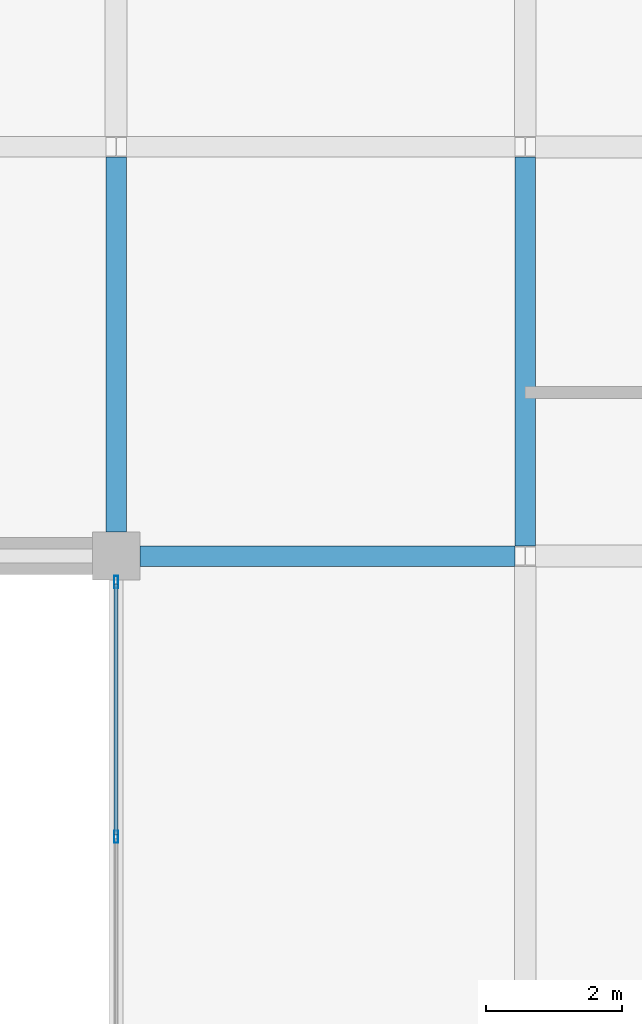
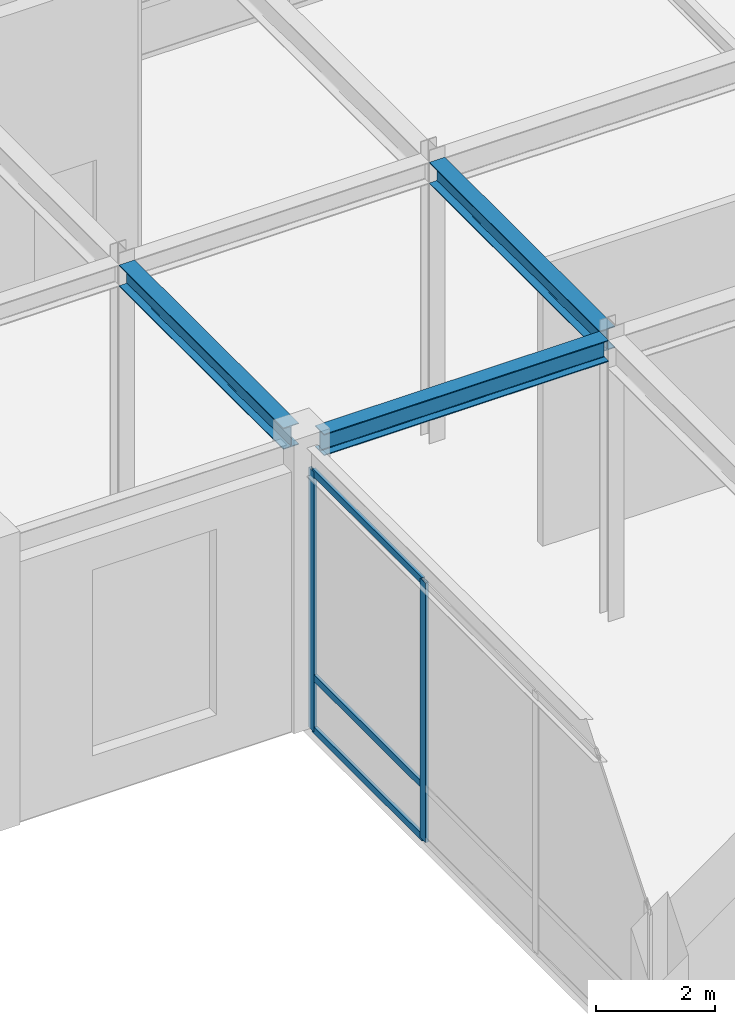
# One storey, part 60 of 108: 5 members, 3 beams, 1 element without a shape of its own.
"""IFC4 building model written with IfcOpenShell, lengths in metres."""

from ifc_helpers import new_model, si_unit, direction, frame, origin, origin_2d, place, context, subcontext, project, spatial, hollow_rectangle, i_section, extrude, material, layer, layer_set, material_profile, profile_set, type_object, element, aggregate, save


model = new_model("IFC4")

# Units and contexts
model_context = context("Model", 3, precision=1e-05, world=origin(), true_north=direction((0.0, 1.0)))
body_context = subcontext(model_context, "Body", "Model", "MODEL_VIEW")
ifc_project = project(units=[si_unit("LENGTHUNIT", "METRE"), si_unit("AREAUNIT", "SQUARE_METRE"), si_unit("VOLUMEUNIT", "CUBIC_METRE"), si_unit("PLANEANGLEUNIT", "RADIAN"), si_unit("MASSUNIT", "GRAM", prefix="KILO")], contexts=[model_context])

# Site, building, storey
site_placement = place(None, origin())
site = spatial("IfcSite", under=ifc_project, at=site_placement, CompositionType="ELEMENT")
building_placement = place(site_placement, origin())
building = spatial("IfcBuilding", under=site, at=building_placement, Name="Zlatovratsky Civic Hall", CompositionType="ELEMENT")
storey_placement = place(building_placement, frame((0.0, 0.0, 6.0)))
storey = spatial("IfcBuildingStorey", under=building, at=storey_placement, Name="L02", CompositionType="ELEMENT", Elevation=6.0)

# Beams
ifc_material_1 = material(Name="Steel S355", Category="steel")
ifc_material_profile_1 = material_profile(ifc_material_1, i_section(OverallWidth=0.300048828125, OverallDepth=0.43994140625, WebThickness=0.010986328125, FlangeThickness=0.01806640625, FilletRadius=0.02197265625, at=origin_2d()), Name="45Sh1")
ifc_profile_set_1 = profile_set([ifc_material_profile_1], Name="Steel S355")
beam_type = type_object("IfcBeamType", Name="Beam_TowerLow_45Sh1", PredefinedType="BEAM", material=ifc_profile_set_1)
for number, where, z_axis, x_axis, name in (
    (1, (114.35009765625, 12.0, 5.5400390625), (1.0, 0.0, 0.0), (0.0, 1.0, 0.0), "BM-1755"),
    (2, (114.0, 12.35009765625, 5.5400390625), (0.0, 1.0, 0.0), (-1.0, 0.0, 0.0), "BM-2283"),
):
    element("IfcBeam", number, at=place(storey_placement, frame(where, z_axis=z_axis, x_axis=x_axis)), inside=storey, type_object=beam_type, Name=name, PredefinedType="BEAM", context=body_context, shape_type="SweptSolid", body=[
        extrude(i_section(OverallWidth=0.300048828125, OverallDepth=0.43994140625, WebThickness=0.010986328125, FlangeThickness=0.01806640625, FilletRadius=0.02197265625, at=origin_2d()), origin(), (0.0, 0.0, 1.0), 5.5),
    ])
beam_placement = place(storey_placement, frame((120.0, 12.14990234375, 5.5400390625), z_axis=(0.0, 1.0, 0.0), x_axis=(-1.0, 0.0, 0.0)))
element("IfcBeam", 3, at=beam_placement, inside=storey, type_object=beam_type, Name="BM-2300", PredefinedType="BEAM", context=body_context, shape_type="SweptSolid", body=[
    extrude(i_section(OverallWidth=0.300048828125, OverallDepth=0.43994140625, WebThickness=0.010986328125, FlangeThickness=0.01806640625, FilletRadius=0.02197265625, at=origin_2d()), origin(), (0.0, 0.0, 1.0), 5.7001953125),
])

# Curtain wall, members
ifc_material_2 = material(Name="Anodised bronze aluminium", Category="aluminium")
ifc_layer = layer(ifc_material_2, 0.159912109375)
ifc_layer_set = layer_set([ifc_layer], Name="Anodised bronze aluminium")
curtain_wall_type = type_object("IfcCurtainWallType", Name="CurtainWall_Bronze_11300x5310_02", PredefinedType="NOTDEFINED", material=ifc_layer_set)
curtain_wall_placement = place(storey_placement, origin())
curtain_wall = element("IfcCurtainWall", 4, at=curtain_wall_placement, inside=storey, type_object=curtain_wall_type, Name="CW-004", PredefinedType="NOTDEFINED")
ifc_material_profile_2 = material_profile(ifc_material_2, hollow_rectangle(XDim=0.06005859375, YDim=0.179931640625, WallThickness=0.00390625, at=origin_2d()), Name="ALU 60x180x4")
ifc_profile_set_2 = profile_set([ifc_material_profile_2], Name="Anodised bronze aluminium")
member_type_1 = type_object("IfcMemberType", Name="CW_Mullion_60x180", PredefinedType="MULLION", material=ifc_profile_set_2)
member_1_placement = place(storey_placement, frame((114.0, 7.88330078125, 0.0), z_axis=(0.0, 0.0, 1.0), x_axis=(-1.0, 0.0, 0.0)))
member_1 = element("IfcMember", 5, at=member_1_placement, type_object=member_type_1, Name="CW-02 mullion 3", PredefinedType="MULLION", context=body_context, shape_type="SweptSolid", body=[
    extrude(hollow_rectangle(XDim=0.06005859375, YDim=0.179931640625, WallThickness=0.00390625, at=origin_2d()), origin(), (0.0, 0.0, 1.0), 5.31005859375),
])
member_2_placement = place(storey_placement, frame((114.0, 11.6201171875, 0.0), z_axis=(0.0, 0.0, 1.0), x_axis=(-1.0, 0.0, 0.0)))
member_2 = element("IfcMember", 6, at=member_2_placement, type_object=member_type_1, Name="CW-02 mullion 4", PredefinedType="MULLION", context=body_context, shape_type="SweptSolid", body=[
    extrude(hollow_rectangle(XDim=0.06005859375, YDim=0.179931640625, WallThickness=0.00390625, at=origin_2d()), origin(), (0.0, 0.0, 1.0), 5.31005859375),
])
ifc_material_profile_3 = material_profile(ifc_material_2, hollow_rectangle(XDim=0.06005859375, YDim=0.139892578125, WallThickness=0.00390625, at=origin_2d()), Name="ALU 60x140x4")
ifc_profile_set_3 = profile_set([ifc_material_profile_3], Name="Anodised bronze aluminium")
member_type_2 = type_object("IfcMemberType", Name="CW_Transom_60x140", PredefinedType="USERDEFINED", material=ifc_profile_set_3)
member_3_placement = place(storey_placement, frame((114.0, 7.913330078125, 0.030029296875), z_axis=(0.0, 1.0, 0.0), x_axis=(-1.0, 0.0, 0.0)))
member_3 = element("IfcMember", 7, at=member_3_placement, type_object=member_type_2, Name="CW-02 transom 3.1", ObjectType="TRANSOM", PredefinedType="USERDEFINED", context=body_context, shape_type="SweptSolid", body=[
    extrude(hollow_rectangle(XDim=0.06005859375, YDim=0.139892578125, WallThickness=0.00390625, at=origin_2d()), origin(), (0.0, 0.0, 1.0), 3.6767578125),
])
member_4_placement = place(storey_placement, frame((114.0, 7.913330078125, 1.10009765625), z_axis=(0.0, 1.0, 0.0), x_axis=(-1.0, 0.0, 0.0)))
member_4 = element("IfcMember", 8, at=member_4_placement, type_object=member_type_2, Name="CW-02 transom 3.2", ObjectType="TRANSOM", PredefinedType="USERDEFINED", context=body_context, shape_type="SweptSolid", body=[
    extrude(hollow_rectangle(XDim=0.06005859375, YDim=0.139892578125, WallThickness=0.00390625, at=origin_2d()), origin(), (0.0, 0.0, 1.0), 3.6767578125),
])
member_5_placement = place(storey_placement, frame((114.0, 7.913330078125, 5.280029296875), z_axis=(0.0, 1.0, 0.0), x_axis=(-1.0, 0.0, 0.0)))
member_5 = element("IfcMember", 9, at=member_5_placement, type_object=member_type_2, Name="CW-02 transom 3.3", ObjectType="TRANSOM", PredefinedType="USERDEFINED", context=body_context, shape_type="SweptSolid", body=[
    extrude(hollow_rectangle(XDim=0.06005859375, YDim=0.139892578125, WallThickness=0.00390625, at=origin_2d()), origin(), (0.0, 0.0, 1.0), 3.6767578125),
])
aggregate(curtain_wall, [member_1, member_2, member_3, member_4, member_5])

save(model, "model.ifc")
